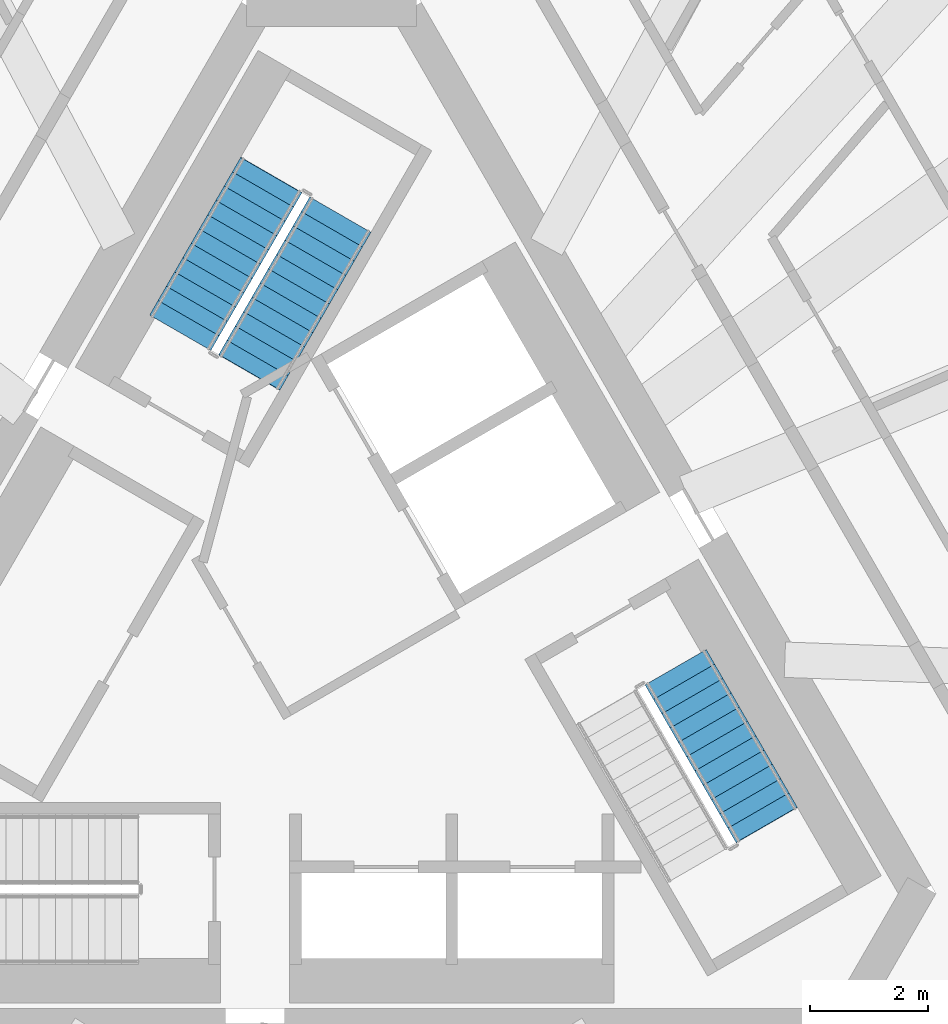
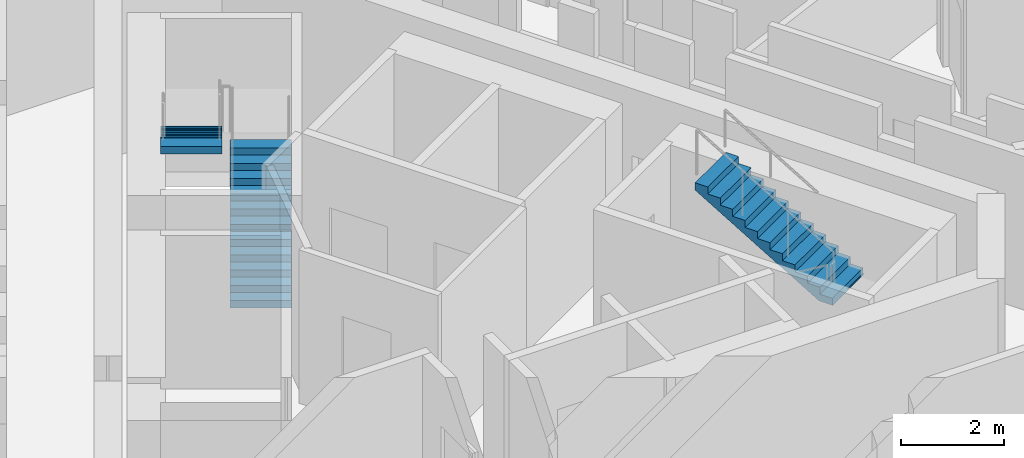
# One storey, part 9 of 13: 3 stair flights, 2 elements without a shape of their own.
"""IFC4 building model written with IfcOpenShell, lengths in metres."""

import ifcopenshell
import ifcopenshell.guid

model = None  # the IFC model being written
_history = None  # IfcOwnerHistory: only IFC2X3 demands one
_inside = {}  # id of a spatial element -> (the spatial element, [elements in it])
_under = {}  # id of a project, library or spatial element -> (it, [spatial elements below it])
_declared = {}  # id of a project -> (the project, [libraries it declares])
_typed = {}  # id of a type object -> (the type object, [elements of that type])
_made_of = {}  # id of a material, layer set ... -> (it, [elements and type objects made of it])


def new_model(schema):
    """Start an empty IFC model of exactly this schema.

    Asked for "IFC4X3", IfcOpenShell would pick the latest addendum, in which some entities
    have other attributes; the version numbers below select the first issue.
    IFC2X3 requires an IfcOwnerHistory on every rooted entity: one is made here for all.
    """
    global model, _history
    if schema == "IFC4X3":
        model = ifcopenshell.file(schema_version=(4, 3, 0, 0))
    else:
        model = ifcopenshell.file(schema=schema)
    _inside.clear()
    _under.clear()
    _declared.clear()
    _typed.clear()
    _made_of.clear()
    _history = None
    if model.schema == "IFC2X3":
        org = make("IfcOrganization", Name="unknown")
        user = make(
            "IfcPersonAndOrganization",
            ThePerson=make("IfcPerson", FamilyName="unknown"),
            TheOrganization=org,
        )
        app = make(
            "IfcApplication",
            ApplicationDeveloper=org,
            Version="unknown",
            ApplicationFullName="unknown",
            ApplicationIdentifier="unknown",
        )
        _history = make(
            "IfcOwnerHistory",
            OwningUser=user,
            OwningApplication=app,
            ChangeAction="ADDED",
            CreationDate=0,
        )
    return model


def make(cls, **values):
    """One entity of the class cls with the attributes given. An attribute that is None is left unset."""
    return model.create_entity(
        cls, **{name: value for name, value in values.items() if value is not None}
    )


def rooted(cls, **values):
    """An entity with a GlobalId (a new one), such as an element, a storey or a relation."""
    return make(cls, GlobalId=ifcopenshell.guid.new(), OwnerHistory=_history, **values)


def si_unit(unit_type, name, prefix=None):
    """IfcSIUnit, for example si_unit("LENGTHUNIT", "METRE", prefix="MILLI")."""
    return make("IfcSIUnit", UnitType=unit_type, Prefix=prefix, Name=name)


def assignment(units):
    """IfcUnitAssignment: the units of a project."""
    return None if units is None else make("IfcUnitAssignment", Units=units)


def point(xyz):
    """IfcCartesianPoint."""
    return None if xyz is None else make("IfcCartesianPoint", Coordinates=xyz)


def direction(xyz):
    """IfcDirection."""
    return None if xyz is None else make("IfcDirection", DirectionRatios=xyz)


def frame(location, z_axis=None, x_axis=None):
    """IfcAxis2Placement3D, a coordinate frame: its origin and axes. An axis left out is left unset."""
    return make(
        "IfcAxis2Placement3D",
        Location=point(location),
        Axis=direction(z_axis),
        RefDirection=direction(x_axis),
    )


def origin():
    """The frame at (0, 0, 0) with its axes left unset."""
    return frame((0.0, 0.0, 0.0))


def place(relative_to, where):
    """IfcLocalPlacement: puts the frame where relative to a parent placement (None: the world)."""
    return make(
        "IfcLocalPlacement", PlacementRelTo=relative_to, RelativePlacement=where
    )


def context(
    kind, dimensions, precision=None, world=None, true_north=None, identifier=None
):
    """IfcGeometricRepresentationContext, for example the 3D "Model" context."""
    return make(
        "IfcGeometricRepresentationContext",
        ContextIdentifier=identifier,
        ContextType=kind,
        CoordinateSpaceDimension=dimensions,
        Precision=precision,
        WorldCoordinateSystem=world,
        TrueNorth=true_north,
    )


def subcontext(parent, identifier, kind, view, scale=None):
    """IfcGeometricRepresentationSubContext, for example "Body" below "Model"."""
    return make(
        "IfcGeometricRepresentationSubContext",
        ContextIdentifier=identifier,
        ContextType=kind,
        ParentContext=parent,
        TargetScale=scale,
        TargetView=view,
    )


def project(units=None, contexts=None):
    """IfcProject with its units and contexts."""
    return rooted(
        "IfcProject",
        Name="project",
        RepresentationContexts=contexts,
        UnitsInContext=assignment(units),
    )


def spatial(cls, under=None, at=None, **own):
    """A site, building, storey or space (cls), placed at a placement, below another one or the project."""
    s = rooted(cls, ObjectPlacement=at, **own)
    if under is not None:
        _under.setdefault(under.id(), (under, []))[1].append(s)
    return s


def polyline(points):
    """IfcPolyline through the points."""
    return make("IfcPolyline", Points=[point(p) for p in points])


def outline(outer, holes=None, kind="AREA"):
    """IfcArbitraryClosedProfileDef: a profile drawn as a closed curve; with holes, ...WithVoids."""
    if holes is None:
        return make("IfcArbitraryClosedProfileDef", ProfileType=kind, OuterCurve=outer)
    return make(
        "IfcArbitraryProfileDefWithVoids",
        ProfileType=kind,
        OuterCurve=outer,
        InnerCurves=holes,
    )


def extrude(swept, where, along, depth):
    """IfcExtrudedAreaSolid: the profile swept, set in the frame where, extruded along a direction by depth."""
    return make(
        "IfcExtrudedAreaSolid",
        SweptArea=swept,
        Position=where,
        ExtrudedDirection=direction(along),
        Depth=depth,
    )


def shape(context_of_items, identifier, shape_type, items):
    """IfcShapeRepresentation: the items that make up one representation, for example the "Body"."""
    return make(
        "IfcShapeRepresentation",
        ContextOfItems=context_of_items,
        RepresentationIdentifier=identifier,
        RepresentationType=shape_type,
        Items=items,
    )


def material(Name=None, Category=None):
    """IfcMaterial."""
    return make("IfcMaterial", Name=Name, Category=Category)


def layer(
    of_material, thickness, ventilated=None, Name=None, Category=None, Priority=None
):
    """IfcMaterialLayer: one layer of a wall or slab, of a material (None: an air gap)."""
    return make(
        "IfcMaterialLayer",
        Material=of_material,
        LayerThickness=thickness,
        IsVentilated=ventilated,
        Name=Name,
        Category=Category,
        Priority=Priority,
    )


def layer_set(layers, Name=None):
    """IfcMaterialLayerSet."""
    return make("IfcMaterialLayerSet", MaterialLayers=layers, LayerSetName=Name)


def made_of(thing, what):
    """Note that an element or type object is made of a material, layer set ...; save() writes the relation."""
    if what is not None:
        _made_of.setdefault(what.id(), (what, []))[1].append(thing)
    return thing


def type_object(cls, material=None, **own):
    """A type object (cls), such as IfcWallType, which elements share."""
    return made_of(rooted(cls, **own), material)


def element(
    cls,
    number,
    at=None,
    inside=None,
    cuts=None,
    type_object=None,
    material=None,
    context=None,
    identifier="Body",
    shape_type=None,
    held_by="IfcProductDefinitionShape",
    body=None,
    shapes=None,
    **own,
):
    """One element of the class cls, such as IfcWall. Its Tag is "e" and its number.

    at: its placement. inside: the storey or other place that contains it. cuts: it is an
    opening in that element (IfcRelVoidsElement). A single representation is given by context,
    identifier, shape_type and body (its items); several are given by shapes. held_by: the class
    of the entity that holds the representations. save() writes the other relations.
    """
    e = rooted(cls, Tag="e%d" % number, ObjectPlacement=at, **own)
    if body is not None:
        shapes = [shape(context, identifier, shape_type, body)]
    if shapes is not None:
        e.Representation = make(held_by, Representations=shapes)
    if inside is not None:
        _inside.setdefault(inside.id(), (inside, []))[1].append(e)
    if cuts is not None:
        rooted(
            "IfcRelVoidsElement", RelatingBuildingElement=cuts, RelatedOpeningElement=e
        )
    if type_object is not None:
        _typed.setdefault(type_object.id(), (type_object, []))[1].append(e)
    return made_of(e, material)


def aggregate(whole, parts):
    """IfcRelAggregates: a whole, such as a stair, and the parts it consists of."""
    return rooted("IfcRelAggregates", RelatingObject=whole, RelatedObjects=parts)


def save(model, path):
    """Write the relations noted so far, then the file.

    IfcRelAggregates (storeys below a building ...), IfcRelContainedInSpatialStructure (elements
    in a storey), IfcRelDefinesByType, IfcRelAssociatesMaterial and IfcRelDeclares: one each for
    every whole, place, type object, material and project.
    """
    for whole, parts in _under.values():
        aggregate(whole, parts)
    for where, things in _inside.values():
        rooted(
            "IfcRelContainedInSpatialStructure",
            RelatedElements=things,
            RelatingStructure=where,
        )
    for kind, things in _typed.values():
        rooted("IfcRelDefinesByType", RelatedObjects=things, RelatingType=kind)
    for what, things in _made_of.values():
        rooted("IfcRelAssociatesMaterial", RelatedObjects=things, RelatingMaterial=what)
    for by, libraries in _declared.values():
        rooted("IfcRelDeclares", RelatingContext=by, RelatedDefinitions=libraries)
    model.write(path)


model = new_model("IFC4")

# Units and contexts
model_context = context("Model", 3, precision=1e-05, world=origin(), true_north=direction((0.0, 1.0)))
body_context = subcontext(model_context, "Body", "Model", "MODEL_VIEW")
ifc_project = project(units=[si_unit("LENGTHUNIT", "METRE"), si_unit("AREAUNIT", "SQUARE_METRE"), si_unit("VOLUMEUNIT", "CUBIC_METRE"), si_unit("PLANEANGLEUNIT", "RADIAN"), si_unit("MASSUNIT", "GRAM", prefix="KILO")], contexts=[model_context])

# Site, building, storey
site_placement = place(None, origin())
site = spatial("IfcSite", under=ifc_project, at=site_placement, CompositionType="ELEMENT")
building_placement = place(site_placement, origin())
building = spatial("IfcBuilding", under=site, at=building_placement, Name="Tramontana Tower", CompositionType="ELEMENT")
storey_placement = place(building_placement, frame((0.0, 0.0, 324.39990234375)))
storey = spatial("IfcBuildingStorey", under=building, at=storey_placement, Name="L74", CompositionType="ELEMENT", Elevation=324.39990234375)

# Stair, stair flights
ifc_material_1 = material(Name="Concrete 40 MPa", Category="concrete")
stair_type = type_object("IfcStairType", Name="EXIT STAIR 24 RISERS", PredefinedType="HALF_TURN_STAIR", material=ifc_material_1)
stair_1_placement = place(storey_placement, origin())
stair_1 = element("IfcStair", 1, at=stair_1_placement, inside=storey, type_object=stair_type, Name="L74 Exit stair ST1", PredefinedType="HALF_TURN_STAIR")
ifc_material_2 = material(Name="Concrete 40 MPa", Category="concrete")
ifc_layer = layer(ifc_material_2, 0.14990234375)
ifc_layer_set = layer_set([ifc_layer], Name="EXIT STAIR FLIGHT")
stair_flight_type = type_object("IfcStairFlightType", Name="EXIT STAIR FLIGHT", PredefinedType="STRAIGHT", material=ifc_layer_set)
stair_flight_1_placement = place(storey_placement, frame((-1.39111328125, 4.590576171875, 0.0), z_axis=(0.0, 0.0, 1.0), x_axis=(0.5, 0.866025403784, 0.0)))
stair_flight_1 = element("IfcStairFlight", 2, at=stair_flight_1_placement, type_object=stair_flight_type, Name="ST1 flight 1", NumberOfRisers=12, NumberOfTreads=11, PredefinedType="STRAIGHT", RiserHeight=0.166666667, TreadLength=0.28, context=body_context, shape_type="SweptSolid", body=[
    extrude(outline(polyline([(-0.006103515625, 0.0), (-0.006103515625, 0.0400390625), (0.0, 0.0400390625), (0.0, 0.166748046875), (0.280029296875, 0.166748046875), (0.280029296875, 0.333251953125), (0.56005859375, 0.333251953125), (0.56005859375, 0.5), (0.840087890625, 0.5), (0.840087890625, 0.666748046875), (1.1201171875, 0.666748046875), (1.1201171875, 0.833251953125), (1.39990234375, 0.833251953125), (1.39990234375, 1.0), (1.679931640625, 1.0), (1.679931640625, 1.166748046875), (1.9599609375, 1.166748046875), (1.9599609375, 1.333251953125), (2.239990234375, 1.333251953125), (2.239990234375, 1.5), (2.52001953125, 1.5), (2.52001953125, 1.666748046875), (2.800048828125, 1.666748046875), (2.800048828125, 1.833251953125), (3.080078125, 1.833251953125), (3.0859375, 1.833251953125), (3.0859375, 1.658935546875), (0.299072265625, 0.0), (-0.006103515625, 0.0)])), frame((0.0, 0.60009765625, 0.0), z_axis=(0.0, -1.0, 0.0), x_axis=(1.0, 0.0, 0.0)), (0.0, 0.0, 1.0), 1.199951171875),
])
stair_flight_2_placement = place(storey_placement, frame((-1.020263671875, 7.932861328125, 2.0), z_axis=(0.0, 0.0, 1.0), x_axis=(-0.5, -0.866025403784, 0.0)))
stair_flight_2 = element("IfcStairFlight", 3, at=stair_flight_2_placement, type_object=stair_flight_type, Name="ST1 flight 2", NumberOfRisers=12, NumberOfTreads=11, PredefinedType="STRAIGHT", RiserHeight=0.166666667, TreadLength=0.28, context=body_context, shape_type="SweptSolid", body=[
    extrude(outline(polyline([(-0.006103515625, 0.0), (-0.006103515625, 0.0400390625), (0.0, 0.0400390625), (0.0, 0.166748046875), (0.280029296875, 0.166748046875), (0.280029296875, 0.333251953125), (0.56005859375, 0.333251953125), (0.56005859375, 0.5), (0.840087890625, 0.5), (0.840087890625, 0.666748046875), (1.1201171875, 0.666748046875), (1.1201171875, 0.833251953125), (1.39990234375, 0.833251953125), (1.39990234375, 1.0), (1.679931640625, 1.0), (1.679931640625, 1.166748046875), (1.9599609375, 1.166748046875), (1.9599609375, 1.333251953125), (2.239990234375, 1.333251953125), (2.239990234375, 1.5), (2.52001953125, 1.5), (2.52001953125, 1.666748046875), (2.800048828125, 1.666748046875), (2.800048828125, 1.833251953125), (3.080078125, 1.833251953125), (3.0859375, 1.833251953125), (3.0859375, 1.658935546875), (0.299072265625, 0.0), (-0.006103515625, 0.0)])), frame((0.0, 0.60009765625, 0.0), z_axis=(0.0, -1.0, 0.0), x_axis=(1.0, 0.0, 0.0)), (0.0, 0.0, 1.0), 1.199951171875),
])
aggregate(stair_1, [stair_flight_1, stair_flight_2])

# Stair, stair flight
stair_2_placement = place(storey_placement, origin())
stair_2 = element("IfcStair", 4, at=stair_2_placement, inside=storey, type_object=stair_type, Name="L74 Exit stair ST3", PredefinedType="HALF_TURN_STAIR")
stair_flight_3_placement = place(storey_placement, frame((7.380126953125, -3.0830078125, 2.0), z_axis=(0.0, 0.0, 1.0), x_axis=(-0.5, 0.866025403784, 0.0)))
stair_flight_3 = element("IfcStairFlight", 5, at=stair_flight_3_placement, type_object=stair_flight_type, Name="ST3 flight 2", NumberOfRisers=12, NumberOfTreads=11, PredefinedType="STRAIGHT", RiserHeight=0.166666667, TreadLength=0.28, context=body_context, shape_type="SweptSolid", body=[
    extrude(outline(polyline([(-0.006103515625, 0.0), (-0.006103515625, 0.0400390625), (0.0, 0.0400390625), (0.0, 0.166748046875), (0.280029296875, 0.166748046875), (0.280029296875, 0.333251953125), (0.56005859375, 0.333251953125), (0.56005859375, 0.5), (0.840087890625, 0.5), (0.840087890625, 0.666748046875), (1.1201171875, 0.666748046875), (1.1201171875, 0.833251953125), (1.39990234375, 0.833251953125), (1.39990234375, 1.0), (1.679931640625, 1.0), (1.679931640625, 1.166748046875), (1.9599609375, 1.166748046875), (1.9599609375, 1.333251953125), (2.239990234375, 1.333251953125), (2.239990234375, 1.5), (2.52001953125, 1.5), (2.52001953125, 1.666748046875), (2.800048828125, 1.666748046875), (2.800048828125, 1.833251953125), (3.080078125, 1.833251953125), (3.0859375, 1.833251953125), (3.0859375, 1.658935546875), (0.299072265625, 0.0), (-0.006103515625, 0.0)])), frame((0.0, 0.60009765625, 0.0), z_axis=(0.0, -1.0, 0.0), x_axis=(1.0, 0.0, 0.0)), (0.0, 0.0, 1.0), 1.199951171875),
])
aggregate(stair_2, [stair_flight_3])

save(model, "model.ifc")
